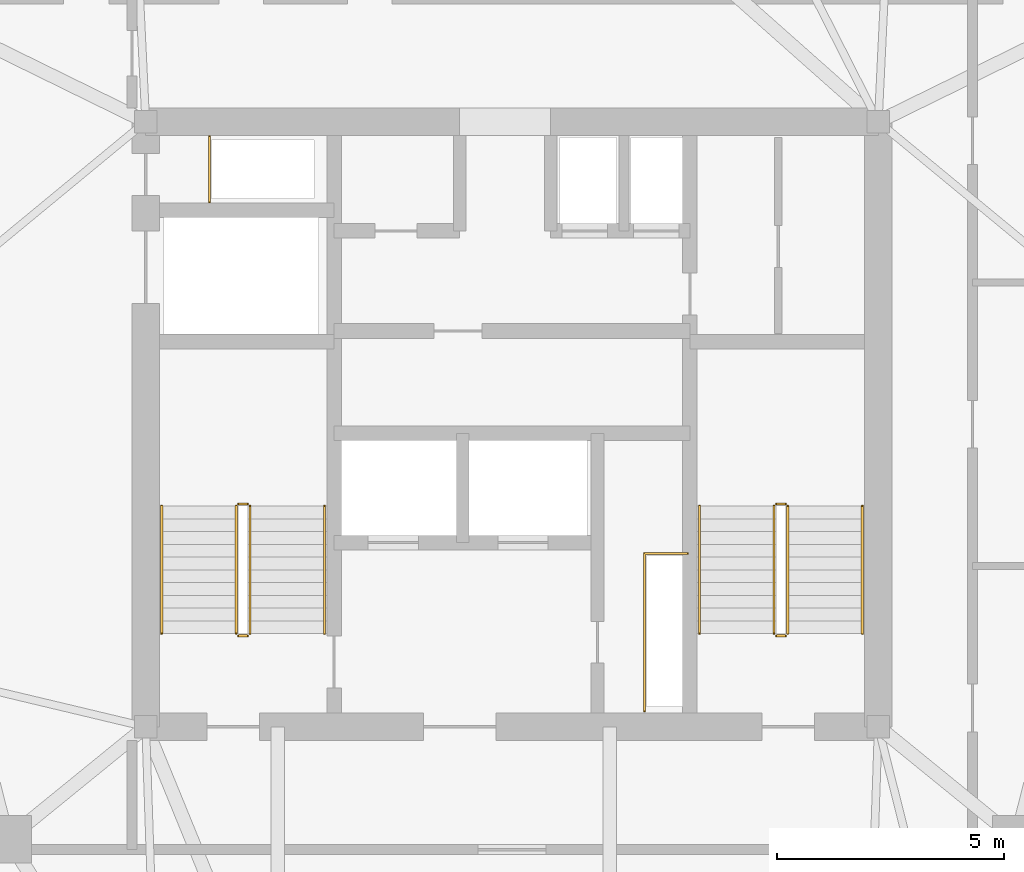
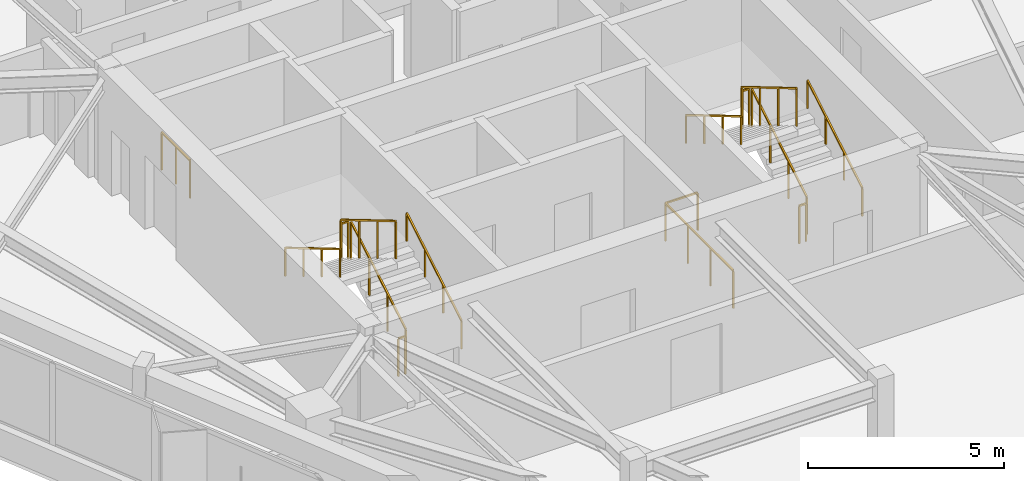
# One storey, part 10 of 10: 14 railings.
"""IFC4 building model written with IfcOpenShell, lengths in metres."""

from ifc_helpers import new_model, si_unit, direction, frame, origin, origin_2d, place, context, subcontext, project, spatial, rectangle, extrude, material, type_object, element, save


model = new_model("IFC4")

# Units and contexts
model_context = context("Model", 3, precision=1e-05, world=origin(), true_north=direction((0.0, 1.0)))
body_context = subcontext(model_context, "Body", "Model", "MODEL_VIEW")
ifc_project = project(units=[si_unit("LENGTHUNIT", "METRE"), si_unit("AREAUNIT", "SQUARE_METRE"), si_unit("VOLUMEUNIT", "CUBIC_METRE"), si_unit("PLANEANGLEUNIT", "RADIAN"), si_unit("MASSUNIT", "GRAM", prefix="KILO")], contexts=[model_context])

# Site, building, storey
site_placement = place(None, origin())
site = spatial("IfcSite", under=ifc_project, at=site_placement, CompositionType="ELEMENT")
building_placement = place(site_placement, origin())
building = spatial("IfcBuilding", under=site, at=building_placement, Name="Talyreon Biosciences Tower", CompositionType="ELEMENT")
storey_placement = place(building_placement, frame((0.0, 0.0, 287.449951171875)))
storey = spatial("IfcBuildingStorey", under=building, at=storey_placement, Name="L76", CompositionType="ELEMENT", Elevation=287.449951171875)

# Railings
ifc_material_1 = material(Name="Brushed stainless-steel tubular handrail", Category="steel")
railing_type_1 = type_object("IfcRailingType", Name="StairWallHandrail_900", PredefinedType="HANDRAIL", material=ifc_material_1)
railing_1_placement = place(storey_placement, frame((61.8798828125, 63.39990234375, 0.166015625)))
element("IfcRailing", 1, at=railing_1_placement, inside=storey, type_object=railing_type_1, Name="L76 ST-1 stair handrail 1", PredefinedType="HANDRAIL", context=body_context, shape_type="SweptSolid", body=[
    extrude(rectangle(XDim=0.048095703125, YDim=0.048095703125, at=origin_2d()), frame((0.0, 0.0, 0.8759765625), z_axis=(0.0, 0.860339051648, 0.50972219513), x_axis=(-1.0, 0.0, 0.0)), (0.0, 0.0, 1.0), 3.254638671875),
    extrude(rectangle(XDim=0.0419921875, YDim=0.0419921875, at=origin_2d()), origin(), (0.0, 0.0, 1.0), 0.851806640625),
    extrude(rectangle(XDim=0.0419921875, YDim=0.0419921875, at=origin_2d()), frame((0.0, 0.933349609375, 0.552978515625)), (0.0, 0.0, 1.0), 0.851806640625),
    extrude(rectangle(XDim=0.0419921875, YDim=0.0419921875, at=origin_2d()), frame((0.0, 1.86669921875, 1.10595703125)), (0.0, 0.0, 1.0), 0.851806640625),
    extrude(rectangle(XDim=0.0419921875, YDim=0.0419921875, at=origin_2d()), frame((0.0, 2.800048828125, 1.658935546875)), (0.0, 0.0, 1.0), 0.851806640625),
])
railing_2_placement = place(storey_placement, frame((58.300048828125, 66.199951171875, 1.990966796875)))
element("IfcRailing", 2, at=railing_2_placement, inside=storey, type_object=railing_type_1, Name="L76 ST-1 stair handrail 2", PredefinedType="HANDRAIL", context=body_context, shape_type="SweptSolid", body=[
    extrude(rectangle(XDim=0.048095703125, YDim=0.048095703125, at=origin_2d()), frame((0.0, 0.0, 0.8759765625), z_axis=(0.0, -0.860306154799, 0.50977771628), x_axis=(1.0, 0.0, 0.0)), (0.0, 0.0, 1.0), 3.254638671875),
    extrude(rectangle(XDim=0.0419921875, YDim=0.0419921875, at=origin_2d()), origin(), (0.0, 0.0, 1.0), 0.851806640625),
    extrude(rectangle(XDim=0.0419921875, YDim=0.0419921875, at=origin_2d()), frame((0.0, -0.933349609375, 0.552978515625)), (0.0, 0.0, 1.0), 0.851806640625),
    extrude(rectangle(XDim=0.0419921875, YDim=0.0419921875, at=origin_2d()), frame((0.0, -1.86669921875, 1.106201171875)), (0.0, 0.0, 1.0), 0.851806640625),
    extrude(rectangle(XDim=0.0419921875, YDim=0.0419921875, at=origin_2d()), frame((0.0, -2.800048828125, 1.6591796875)), (0.0, 0.0, 1.0), 0.851806640625),
])
railing_3_placement = place(storey_placement, frame((73.699951171875, 63.39990234375, 0.166015625)))
element("IfcRailing", 3, at=railing_3_placement, inside=storey, type_object=railing_type_1, Name="L76 ST-2 stair handrail 1", PredefinedType="HANDRAIL", context=body_context, shape_type="SweptSolid", body=[
    extrude(rectangle(XDim=0.048095703125, YDim=0.048095703125, at=origin_2d()), frame((0.0, 0.0, 0.8759765625), z_axis=(0.0, 0.860339051648, 0.50972219513), x_axis=(-1.0, 0.0, 0.0)), (0.0, 0.0, 1.0), 3.254638671875),
    extrude(rectangle(XDim=0.0419921875, YDim=0.0419921875, at=origin_2d()), origin(), (0.0, 0.0, 1.0), 0.851806640625),
    extrude(rectangle(XDim=0.0419921875, YDim=0.0419921875, at=origin_2d()), frame((0.0, 0.933349609375, 0.552978515625)), (0.0, 0.0, 1.0), 0.851806640625),
    extrude(rectangle(XDim=0.0419921875, YDim=0.0419921875, at=origin_2d()), frame((0.0, 1.86669921875, 1.10595703125)), (0.0, 0.0, 1.0), 0.851806640625),
    extrude(rectangle(XDim=0.0419921875, YDim=0.0419921875, at=origin_2d()), frame((0.0, 2.800048828125, 1.658935546875)), (0.0, 0.0, 1.0), 0.851806640625),
])
railing_4_placement = place(storey_placement, frame((70.1201171875, 66.199951171875, 1.990966796875)))
element("IfcRailing", 4, at=railing_4_placement, inside=storey, type_object=railing_type_1, Name="L76 ST-2 stair handrail 2", PredefinedType="HANDRAIL", context=body_context, shape_type="SweptSolid", body=[
    extrude(rectangle(XDim=0.048095703125, YDim=0.048095703125, at=origin_2d()), frame((0.0, 0.0, 0.8759765625), z_axis=(0.0, -0.860306154799, 0.50977771628), x_axis=(1.0, 0.0, 0.0)), (0.0, 0.0, 1.0), 3.254638671875),
    extrude(rectangle(XDim=0.0419921875, YDim=0.0419921875, at=origin_2d()), origin(), (0.0, 0.0, 1.0), 0.851806640625),
    extrude(rectangle(XDim=0.0419921875, YDim=0.0419921875, at=origin_2d()), frame((0.0, -0.933349609375, 0.552978515625)), (0.0, 0.0, 1.0), 0.851806640625),
    extrude(rectangle(XDim=0.0419921875, YDim=0.0419921875, at=origin_2d()), frame((0.0, -1.86669921875, 1.106201171875)), (0.0, 0.0, 1.0), 0.851806640625),
    extrude(rectangle(XDim=0.0419921875, YDim=0.0419921875, at=origin_2d()), frame((0.0, -2.800048828125, 1.6591796875)), (0.0, 0.0, 1.0), 0.851806640625),
])
ifc_material_2 = material(Name="Painted galvanised steel post-and-rail balustrade", Category="steel")
railing_type_2 = type_object("IfcRailingType", Name="TerraceStairGuard_1200", PredefinedType="GUARDRAIL", material=ifc_material_2)
railing_5_placement = place(storey_placement, frame((60.239990234375, 63.39990234375, 0.166015625)))
element("IfcRailing", 5, at=railing_5_placement, inside=storey, type_object=railing_type_2, Name="L76 ST-1 stair guard 1", PredefinedType="GUARDRAIL", context=body_context, shape_type="SweptSolid", body=[
    extrude(rectangle(XDim=0.048095703125, YDim=0.048095703125, at=origin_2d()), frame((0.0, 0.0, 1.17578125), z_axis=(0.0, 0.860339051648, 0.50972219513), x_axis=(-1.0, 0.0, 0.0)), (0.0, 0.0, 1.0), 3.254638671875),
    extrude(rectangle(XDim=0.0419921875, YDim=0.0419921875, at=origin_2d()), origin(), (0.0, 0.0, 1.0), 1.15185546875),
    extrude(rectangle(XDim=0.0419921875, YDim=0.0419921875, at=origin_2d()), frame((0.0, 0.933349609375, 0.552978515625)), (0.0, 0.0, 1.0), 1.15185546875),
    extrude(rectangle(XDim=0.0419921875, YDim=0.0419921875, at=origin_2d()), frame((0.0, 1.86669921875, 1.10595703125)), (0.0, 0.0, 1.0), 1.15185546875),
    extrude(rectangle(XDim=0.0419921875, YDim=0.0419921875, at=origin_2d()), frame((0.0, 2.800048828125, 1.658935546875)), (0.0, 0.0, 1.0), 1.15185546875),
])
railing_6_placement = place(storey_placement, frame((60.18994140625, 66.25, 1.824951171875)))
element("IfcRailing", 6, at=railing_6_placement, inside=storey, type_object=railing_type_2, Name="L76 ST-1 stair guard 2", PredefinedType="GUARDRAIL", context=body_context, shape_type="SweptSolid", body=[
    extrude(rectangle(XDim=0.048095703125, YDim=0.048095703125, at=origin_2d()), frame((0.0, 0.0, 1.17578125), z_axis=(-1.0, 0.0, 0.0), x_axis=(0.0, -1.0, 0.0)), (0.0, 0.0, 1.0), 0.199951171875),
    extrude(rectangle(XDim=0.0419921875, YDim=0.0419921875, at=origin_2d()), origin(), (0.0, 0.0, 1.0), 1.15185546875),
    extrude(rectangle(XDim=0.0419921875, YDim=0.0419921875, at=origin_2d()), frame((-0.199951171875, 0.0, 0.0)), (0.0, 0.0, 1.0), 1.15185546875),
])
railing_7_placement = place(storey_placement, frame((59.93994140625, 66.199951171875, 1.990966796875)))
element("IfcRailing", 7, at=railing_7_placement, inside=storey, type_object=railing_type_2, Name="L76 ST-1 stair guard 3", PredefinedType="GUARDRAIL", context=body_context, shape_type="SweptSolid", body=[
    extrude(rectangle(XDim=0.048095703125, YDim=0.048095703125, at=origin_2d()), frame((0.0, 0.0, 1.17578125), z_axis=(0.0, -0.860306154799, 0.50977771628), x_axis=(1.0, 0.0, 0.0)), (0.0, 0.0, 1.0), 3.254638671875),
    extrude(rectangle(XDim=0.0419921875, YDim=0.0419921875, at=origin_2d()), origin(), (0.0, 0.0, 1.0), 1.15185546875),
    extrude(rectangle(XDim=0.0419921875, YDim=0.0419921875, at=origin_2d()), frame((0.0, -0.933349609375, 0.552978515625)), (0.0, 0.0, 1.0), 1.15185546875),
    extrude(rectangle(XDim=0.0419921875, YDim=0.0419921875, at=origin_2d()), frame((0.0, -1.86669921875, 1.106201171875)), (0.0, 0.0, 1.0), 1.15185546875),
    extrude(rectangle(XDim=0.0419921875, YDim=0.0419921875, at=origin_2d()), frame((0.0, -2.800048828125, 1.6591796875)), (0.0, 0.0, 1.0), 1.15185546875),
])
railing_8_placement = place(storey_placement, frame((60.18994140625, 63.35009765625, 0.0)))
element("IfcRailing", 8, at=railing_8_placement, inside=storey, type_object=railing_type_2, Name="L76 ST-1 stair guard 4", PredefinedType="GUARDRAIL", context=body_context, shape_type="SweptSolid", body=[
    extrude(rectangle(XDim=0.048095703125, YDim=0.048095703125, at=origin_2d()), frame((0.0, 0.0, 1.17578125), z_axis=(-1.0, 0.0, 0.0), x_axis=(0.0, -1.0, 0.0)), (0.0, 0.0, 1.0), 0.199951171875),
    extrude(rectangle(XDim=0.0419921875, YDim=0.0419921875, at=origin_2d()), origin(), (0.0, 0.0, 1.0), 1.15185546875),
    extrude(rectangle(XDim=0.0419921875, YDim=0.0419921875, at=origin_2d()), frame((-0.199951171875, 0.0, 0.0)), (0.0, 0.0, 1.0), 1.15185546875),
])
railing_9_placement = place(storey_placement, frame((72.06005859375, 63.39990234375, 0.166015625)))
element("IfcRailing", 9, at=railing_9_placement, inside=storey, type_object=railing_type_2, Name="L76 ST-2 stair guard 1", PredefinedType="GUARDRAIL", context=body_context, shape_type="SweptSolid", body=[
    extrude(rectangle(XDim=0.048095703125, YDim=0.048095703125, at=origin_2d()), frame((0.0, 0.0, 1.17578125), z_axis=(0.0, 0.860339051648, 0.50972219513), x_axis=(-1.0, 0.0, 0.0)), (0.0, 0.0, 1.0), 3.254638671875),
    extrude(rectangle(XDim=0.0419921875, YDim=0.0419921875, at=origin_2d()), origin(), (0.0, 0.0, 1.0), 1.15185546875),
    extrude(rectangle(XDim=0.0419921875, YDim=0.0419921875, at=origin_2d()), frame((0.0, 0.933349609375, 0.552978515625)), (0.0, 0.0, 1.0), 1.15185546875),
    extrude(rectangle(XDim=0.0419921875, YDim=0.0419921875, at=origin_2d()), frame((0.0, 1.86669921875, 1.10595703125)), (0.0, 0.0, 1.0), 1.15185546875),
    extrude(rectangle(XDim=0.0419921875, YDim=0.0419921875, at=origin_2d()), frame((0.0, 2.800048828125, 1.658935546875)), (0.0, 0.0, 1.0), 1.15185546875),
])
railing_10_placement = place(storey_placement, frame((72.010009765625, 66.25, 1.824951171875)))
element("IfcRailing", 10, at=railing_10_placement, inside=storey, type_object=railing_type_2, Name="L76 ST-2 stair guard 2", PredefinedType="GUARDRAIL", context=body_context, shape_type="SweptSolid", body=[
    extrude(rectangle(XDim=0.048095703125, YDim=0.048095703125, at=origin_2d()), frame((0.0, 0.0, 1.17578125), z_axis=(-1.0, 0.0, 0.0), x_axis=(0.0, -1.0, 0.0)), (0.0, 0.0, 1.0), 0.199951171875),
    extrude(rectangle(XDim=0.0419921875, YDim=0.0419921875, at=origin_2d()), origin(), (0.0, 0.0, 1.0), 1.15185546875),
    extrude(rectangle(XDim=0.0419921875, YDim=0.0419921875, at=origin_2d()), frame((-0.199951171875, 0.0, 0.0)), (0.0, 0.0, 1.0), 1.15185546875),
])
railing_11_placement = place(storey_placement, frame((71.760009765625, 66.199951171875, 1.990966796875)))
element("IfcRailing", 11, at=railing_11_placement, inside=storey, type_object=railing_type_2, Name="L76 ST-2 stair guard 3", PredefinedType="GUARDRAIL", context=body_context, shape_type="SweptSolid", body=[
    extrude(rectangle(XDim=0.048095703125, YDim=0.048095703125, at=origin_2d()), frame((0.0, 0.0, 1.17578125), z_axis=(0.0, -0.860306154799, 0.50977771628), x_axis=(1.0, 0.0, 0.0)), (0.0, 0.0, 1.0), 3.254638671875),
    extrude(rectangle(XDim=0.0419921875, YDim=0.0419921875, at=origin_2d()), origin(), (0.0, 0.0, 1.0), 1.15185546875),
    extrude(rectangle(XDim=0.0419921875, YDim=0.0419921875, at=origin_2d()), frame((0.0, -0.933349609375, 0.552978515625)), (0.0, 0.0, 1.0), 1.15185546875),
    extrude(rectangle(XDim=0.0419921875, YDim=0.0419921875, at=origin_2d()), frame((0.0, -1.86669921875, 1.106201171875)), (0.0, 0.0, 1.0), 1.15185546875),
    extrude(rectangle(XDim=0.0419921875, YDim=0.0419921875, at=origin_2d()), frame((0.0, -2.800048828125, 1.6591796875)), (0.0, 0.0, 1.0), 1.15185546875),
])
railing_12_placement = place(storey_placement, frame((72.010009765625, 63.35009765625, 0.0)))
element("IfcRailing", 12, at=railing_12_placement, inside=storey, type_object=railing_type_2, Name="L76 ST-2 stair guard 4", PredefinedType="GUARDRAIL", context=body_context, shape_type="SweptSolid", body=[
    extrude(rectangle(XDim=0.048095703125, YDim=0.048095703125, at=origin_2d()), frame((0.0, 0.0, 1.17578125), z_axis=(-1.0, 0.0, 0.0), x_axis=(0.0, -1.0, 0.0)), (0.0, 0.0, 1.0), 0.199951171875),
    extrude(rectangle(XDim=0.0419921875, YDim=0.0419921875, at=origin_2d()), origin(), (0.0, 0.0, 1.0), 1.15185546875),
    extrude(rectangle(XDim=0.0419921875, YDim=0.0419921875, at=origin_2d()), frame((-0.199951171875, 0.0, 0.0)), (0.0, 0.0, 1.0), 1.15185546875),
])
railing_13_placement = place(storey_placement, frame((59.35009765625, 72.8798828125, 0.0)))
element("IfcRailing", 13, at=railing_13_placement, inside=storey, type_object=railing_type_2, Name="L76 Exhaust Riser Maintenance Guardrail", PredefinedType="GUARDRAIL", context=body_context, shape_type="SweptSolid", body=[
    extrude(rectangle(XDim=0.048095703125, YDim=0.048095703125, at=origin_2d()), frame((0.0, 0.0, 1.17578125), z_axis=(0.0, 1.0, 0.0), x_axis=(-1.0, 0.0, 0.0)), (0.0, 0.0, 1.0), 1.4501953125),
    extrude(rectangle(XDim=0.0419921875, YDim=0.0419921875, at=origin_2d()), origin(), (0.0, 0.0, 1.0), 1.15185546875),
    extrude(rectangle(XDim=0.0419921875, YDim=0.0419921875, at=origin_2d()), frame((0.0, 0.72509765625, 0.0)), (0.0, 0.0, 1.0), 1.15185546875),
    extrude(rectangle(XDim=0.0419921875, YDim=0.0419921875, at=origin_2d()), frame((0.0, 1.4501953125, 0.0)), (0.0, 0.0, 1.0), 1.15185546875),
])
railing_14_placement = place(storey_placement, frame((68.909912109375, 61.699951171875, 0.0)))
element("IfcRailing", 14, at=railing_14_placement, inside=storey, type_object=railing_type_2, Name="L76 Electrical Riser Maintenance Guardrail", PredefinedType="GUARDRAIL", context=body_context, shape_type="SweptSolid", body=[
    extrude(rectangle(XDim=0.048095703125, YDim=0.048095703125, at=origin_2d()), frame((0.0, 0.0, 1.17578125), z_axis=(0.0, 1.0, 0.0), x_axis=(-1.0, 0.0, 0.0)), (0.0, 0.0, 1.0), 3.4599609375),
    extrude(rectangle(XDim=0.048095703125, YDim=0.048095703125, at=origin_2d()), frame((0.0, 3.4599609375, 1.17578125), z_axis=(1.0, 0.0, 0.0), x_axis=(0.0, 1.0, 0.0)), (0.0, 0.0, 1.0), 0.9501953125),
    extrude(rectangle(XDim=0.0419921875, YDim=0.0419921875, at=origin_2d()), origin(), (0.0, 0.0, 1.0), 1.15185546875),
    extrude(rectangle(XDim=0.0419921875, YDim=0.0419921875, at=origin_2d()), frame((0.0, 1.1533203125, 0.0)), (0.0, 0.0, 1.0), 1.15185546875),
    extrude(rectangle(XDim=0.0419921875, YDim=0.0419921875, at=origin_2d()), frame((0.0, 2.306640625, 0.0)), (0.0, 0.0, 1.0), 1.15185546875),
    extrude(rectangle(XDim=0.0419921875, YDim=0.0419921875, at=origin_2d()), frame((0.0, 3.4599609375, 0.0)), (0.0, 0.0, 1.0), 1.15185546875),
    extrude(rectangle(XDim=0.0419921875, YDim=0.0419921875, at=origin_2d()), frame((0.9501953125, 3.4599609375, 0.0)), (0.0, 0.0, 1.0), 1.15185546875),
])

save(model, "model.ifc")
